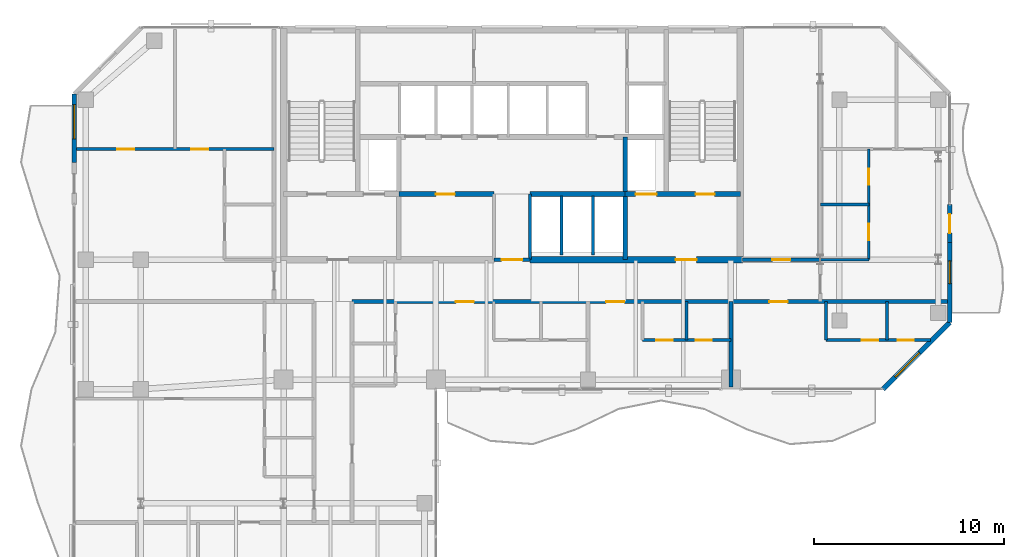
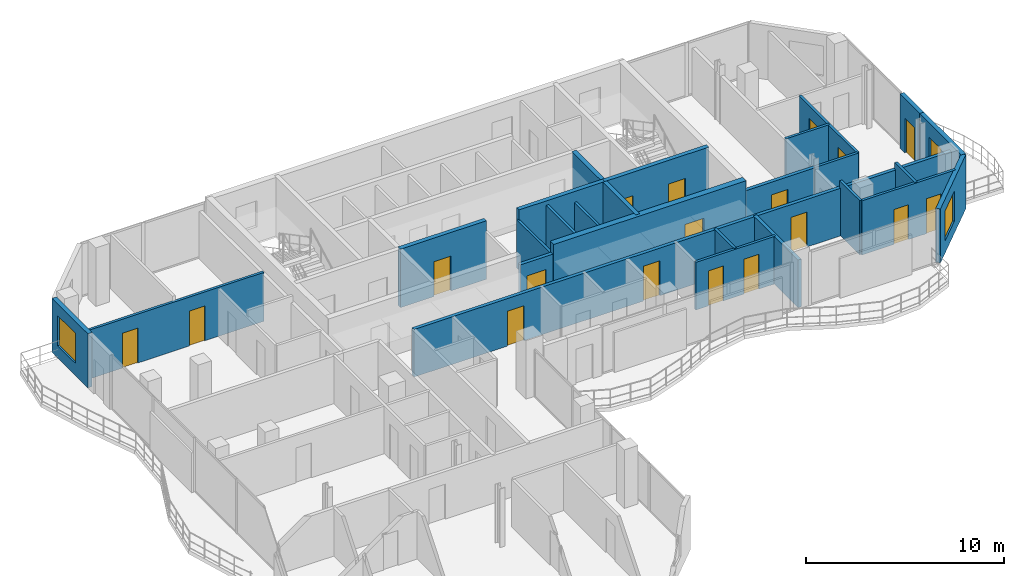
# One storey, part 19 of 24: 25 walls, 18 doors, 3 windows, 21 openings.
"""IFC4 building model written with IfcOpenShell, lengths in metres."""

from ifc_helpers import new_model, si_unit, direction, frame, frame_2d, origin, place, context, subcontext, project, spatial, rectangle, extrude, material, layer, layer_set, type_object, element, fill, save


model = new_model("IFC4")

# Units and contexts
model_context = context("Model", 3, precision=1e-05, world=origin(), true_north=direction((0.0, 1.0)))
body_context = subcontext(model_context, "Body", "Model", "MODEL_VIEW")
ifc_project = project(units=[si_unit("LENGTHUNIT", "METRE"), si_unit("AREAUNIT", "SQUARE_METRE"), si_unit("VOLUMEUNIT", "CUBIC_METRE"), si_unit("PLANEANGLEUNIT", "RADIAN"), si_unit("MASSUNIT", "GRAM", prefix="KILO")], contexts=[model_context])

# Site, building, storey
site_placement = place(None, origin())
site = spatial("IfcSite", under=ifc_project, at=site_placement, CompositionType="ELEMENT")
building_placement = place(site_placement, origin())
building = spatial("IfcBuilding", under=site, at=building_placement, Name="Catumbela Crestline Tower", CompositionType="ELEMENT")
storey_placement = place(building_placement, frame((0.0, 0.0, 154.2)))
storey = spatial("IfcBuildingStorey", under=building, at=storey_placement, Name="L39", CompositionType="ELEMENT", Elevation=154.2)

# Wall
ifc_material_1 = material(Name="Concrete C50/60", Category="concrete")
ifc_layer_1 = layer(ifc_material_1, 0.25, Name="Concrete C50/60")
ifc_layer_set_1 = layer_set([ifc_layer_1], Name="Concrete C50/60")
wall_type_1 = type_object("IfcWallType", Name="CW-250D", PredefinedType="SHEAR", material=ifc_layer_set_1)
wall_1_placement = place(storey_placement, frame((33.95, 30.8, 0.0), z_axis=(0.0, 0.0, 1.0), x_axis=(0.0, 1.0, 0.0)))
element("IfcWall", 1, at=wall_1_placement, inside=storey, type_object=wall_type_1, Name="L39 Structural Core Shear Wall FFE", PredefinedType="SHEAR", context=body_context, shape_type="SweptSolid", body=[
    extrude(rectangle(XDim=6.45, YDim=0.25, at=frame_2d((3.225, 0.0))), origin(), (0.0, 0.0, 1.0), 3.6),
])

# Wall, openings, doors
wall_2_placement = place(storey_placement, frame((33.95, 34.25, 0.0), z_axis=(0.0, 0.0, 1.0), x_axis=(1.0, 0.0, 0.0)))
wall_2 = element("IfcWall", 2, at=wall_2_placement, inside=storey, type_object=wall_type_1, Name="L39 Structural Core Shear Wall ST2S", PredefinedType="SHEAR", context=body_context, shape_type="SweptSolid", body=[
    extrude(rectangle(XDim=6.05, YDim=0.25, at=frame_2d((3.025, 0.0))), origin(), (0.0, 0.0, 1.0), 3.6),
])
opening_1_placement = place(wall_2_placement, frame((3.7, 0.0, 0.0)))
opening_1 = element("IfcOpeningElement", 3, at=opening_1_placement, cuts=wall_2, Name="Opening DF9-100", PredefinedType="OPENING", context=body_context, shape_type="SweptSolid", body=[
    extrude(rectangle(XDim=1.0, YDim=2.15, at=frame_2d((0.5, 1.075))), frame((0.0, 0.135, 0.0), z_axis=(0.0, -1.0, 0.0), x_axis=(1.0, 0.0, 0.0)), (0.0, 0.0, 1.0), 0.27),
])
opening_2_placement = place(wall_2_placement, frame((0.55, 0.0, 0.0)))
opening_2 = element("IfcOpeningElement", 4, at=opening_2_placement, cuts=wall_2, Name="Opening LD-110", PredefinedType="OPENING", context=body_context, shape_type="SweptSolid", body=[
    extrude(rectangle(XDim=1.1, YDim=2.15, at=frame_2d((0.55, 1.075))), frame((0.0, 0.135, 0.0), z_axis=(0.0, -1.0, 0.0), x_axis=(1.0, 0.0, 0.0)), (0.0, 0.0, 1.0), 0.27),
])
ifc_material_2 = material(Name="Stainless steel EN 1.4401", Category="steel")
door_type_1 = type_object("IfcDoorType", Name="DF9-100", OperationType="NOTDEFINED", PredefinedType="DOOR", material=ifc_material_2)
door_1_placement = place(opening_1_placement, origin())
door_1 = element("IfcDoor", 5, at=door_1_placement, inside=storey, type_object=door_type_1, Name="L39 Interior Door DR-L39-ST02", OperationType="SINGLE_SWING_RIGHT", OverallHeight=2.15, OverallWidth=1.0, PredefinedType="DOOR", context=body_context, shape_type="SweptSolid", body=[
    extrude(rectangle(XDim=1.0, YDim=2.15, at=frame_2d((0.5, 1.075))), frame((0.0, 0.025, 0.0), z_axis=(0.0, -1.0, 0.0), x_axis=(1.0, 0.0, 0.0)), (0.0, 0.0, 1.0), 0.05),
])
fill(opening_1, door_1)
door_type_2 = type_object("IfcDoorType", Name="LD-110", OperationType="NOTDEFINED", PredefinedType="DOOR", material=ifc_material_2)
door_2_placement = place(opening_2_placement, origin())
door_2 = element("IfcDoor", 6, at=door_2_placement, inside=storey, type_object=door_type_2, Name="L39 Lift Landing Sliding Door FL-02", OperationType="DOUBLE_DOOR_SLIDING", OverallHeight=2.15, OverallWidth=1.1, PredefinedType="DOOR", context=body_context, shape_type="SweptSolid", body=[
    extrude(rectangle(XDim=1.1, YDim=2.15, at=frame_2d((0.55, 1.075))), frame((0.0, 0.025, 0.0), z_axis=(0.0, -1.0, 0.0), x_axis=(1.0, 0.0, 0.0)), (0.0, 0.0, 1.0), 0.05),
])
fill(opening_2, door_2)

# Wall, opening, door
wall_3_placement = place(storey_placement, frame((22.05, 34.25, 0.0), z_axis=(0.0, 0.0, 1.0), x_axis=(1.0, 0.0, 0.0)))
wall_3 = element("IfcWall", 7, at=wall_3_placement, inside=storey, type_object=wall_type_1, Name="L39 Structural Core Shear Wall LIFTS-W", PredefinedType="SHEAR", context=body_context, shape_type="SweptSolid", body=[
    extrude(rectangle(XDim=5.0, YDim=0.25, at=frame_2d((2.5, 0.0))), origin(), (0.0, 0.0, 1.0), 3.6),
])
opening_3_placement = place(wall_3_placement, frame((1.95, 0.0, 0.0)))
opening_3 = element("IfcOpeningElement", 8, at=opening_3_placement, cuts=wall_3, Name="Opening DF9-100", PredefinedType="OPENING", context=body_context, shape_type="SweptSolid", body=[
    extrude(rectangle(XDim=1.0, YDim=2.15, at=frame_2d((0.5, 1.075))), frame((0.0, 0.135, 0.0), z_axis=(0.0, -1.0, 0.0), x_axis=(1.0, 0.0, 0.0)), (0.0, 0.0, 1.0), 0.27),
])
door_3_placement = place(opening_3_placement, origin())
door_3 = element("IfcDoor", 9, at=door_3_placement, inside=storey, type_object=door_type_1, Name="L39 Interior Door DR-L39-RECL1", OperationType="SINGLE_SWING_LEFT", OverallHeight=2.15, OverallWidth=1.0, PredefinedType="DOOR", context=body_context, shape_type="SweptSolid", body=[
    extrude(rectangle(XDim=1.0, YDim=2.15, at=frame_2d((0.5, 1.075))), frame((0.0, 0.025, 0.0), z_axis=(0.0, -1.0, 0.0), x_axis=(1.0, 0.0, 0.0)), (0.0, 0.0, 1.0), 0.05),
])
fill(opening_3, door_3)

# Wall
wall_4_placement = place(storey_placement, frame((28.95, 34.25, 0.0), z_axis=(0.0, 0.0, 1.0), x_axis=(1.0, 0.0, 0.0)))
element("IfcWall", 10, at=wall_4_placement, inside=storey, type_object=wall_type_1, Name="L39 Structural Core Shear Wall LIFTS-E", PredefinedType="SHEAR", context=body_context, shape_type="SweptSolid", body=[
    extrude(rectangle(XDim=5.0, YDim=0.25, at=frame_2d((2.5, 0.0))), origin(), (0.0, 0.0, 1.0), 3.6),
])

# Wall, opening, door
ifc_layer_2 = layer(ifc_material_1, 0.35, Name="Concrete C50/60")
ifc_layer_set_2 = layer_set([ifc_layer_2], Name="Concrete C50/60")
wall_type_2 = type_object("IfcWallType", Name="CW-350B", PredefinedType="SHEAR", material=ifc_layer_set_2)
wall_5_placement = place(storey_placement, frame((28.95, 30.8, 0.0), z_axis=(0.0, 0.0, 1.0), x_axis=(1.0, 0.0, 0.0)))
wall_5 = element("IfcWall", 11, at=wall_5_placement, inside=storey, type_object=wall_type_2, Name="L39 Structural Core Shear Wall SE", PredefinedType="SHEAR", context=body_context, shape_type="SweptSolid", body=[
    extrude(rectangle(XDim=11.2, YDim=0.35, at=frame_2d((5.6, 0.0))), origin(), (0.0, 0.0, 1.0), 3.6),
])
opening_4_placement = place(wall_5_placement, frame((7.65, 0.0, 0.0)))
opening_4 = element("IfcOpeningElement", 12, at=opening_4_placement, cuts=wall_5, Name="Opening DF9-110", PredefinedType="OPENING", context=body_context, shape_type="SweptSolid", body=[
    extrude(rectangle(XDim=1.1, YDim=2.15, at=frame_2d((0.55, 1.075))), frame((0.0, 0.185, 0.0), z_axis=(0.0, -1.0, 0.0), x_axis=(1.0, 0.0, 0.0)), (0.0, 0.0, 1.0), 0.37),
])
door_type_3 = type_object("IfcDoorType", Name="DF9-110", OperationType="NOTDEFINED", PredefinedType="DOOR", material=ifc_material_2)
door_4_placement = place(opening_4_placement, origin())
door_4 = element("IfcDoor", 13, at=door_4_placement, inside=storey, type_object=door_type_3, Name="L39 Interior Door DR-L39-FFE-S", OperationType="SINGLE_SWING_RIGHT", OverallHeight=2.15, OverallWidth=1.1, PredefinedType="DOOR", context=body_context, shape_type="SweptSolid", body=[
    extrude(rectangle(XDim=1.1, YDim=2.15, at=frame_2d((0.55, 1.075))), frame((0.0, 0.025, 0.0), z_axis=(0.0, -1.0, 0.0), x_axis=(1.0, 0.0, 0.0)), (0.0, 0.0, 1.0), 0.05),
])
fill(opening_4, door_4)

ifc_material_3 = material(Name="Acoustic gypsum and mineral-wool partition")
ifc_layer_3 = layer(ifc_material_3, 0.2, Name="Acoustic gypsum and mineral-wool partition")
ifc_layer_set_3 = layer_set([ifc_layer_3], Name="Acoustic gypsum and mineral-wool partition")
wall_type_3 = type_object("IfcWallType", Name="WC-200", PredefinedType="PARTITIONING", material=ifc_layer_set_3)
wall_6_placement = place(storey_placement, frame((27.05, 30.8, 0.0), z_axis=(0.0, 0.0, 1.0), x_axis=(1.0, 0.0, 0.0)))
wall_6 = element("IfcWall", 14, at=wall_6_placement, inside=storey, type_object=wall_type_3, Name="L39 Interior Partition PW-L39-CLOBS", PredefinedType="PARTITIONING", context=body_context, shape_type="SweptSolid", body=[
    extrude(rectangle(XDim=1.9, YDim=0.2, at=frame_2d((0.95, 0.0))), origin(), (0.0, 0.0, 1.0), 2.96),
])
opening_5_placement = place(wall_6_placement, frame((0.4, 0.0, 0.0)))
opening_5 = element("IfcOpeningElement", 15, at=opening_5_placement, cuts=wall_6, Name="Opening DF9-110", PredefinedType="OPENING", context=body_context, shape_type="SweptSolid", body=[
    extrude(rectangle(XDim=1.1, YDim=2.15, at=frame_2d((0.55, 1.075))), frame((0.0, 0.11, 0.0), z_axis=(0.0, -1.0, 0.0), x_axis=(1.0, 0.0, 0.0)), (0.0, 0.0, 1.0), 0.22),
])
door_5_placement = place(opening_5_placement, origin())
door_5 = element("IfcDoor", 16, at=door_5_placement, inside=storey, type_object=door_type_3, Name="L39 Interior Door DR-L39-CLOBS", OperationType="SINGLE_SWING_LEFT", OverallHeight=2.15, OverallWidth=1.1, PredefinedType="DOOR", context=body_context, shape_type="SweptSolid", body=[
    extrude(rectangle(XDim=1.1, YDim=2.15, at=frame_2d((0.55, 1.075))), frame((0.0, 0.025, 0.0), z_axis=(0.0, -1.0, 0.0), x_axis=(1.0, 0.0, 0.0)), (0.0, 0.0, 1.0), 0.05),
])
fill(opening_5, door_5)

# Wall, openings, doors
wall_7_placement = place(storey_placement, frame((19.6, 28.6, 0.0), z_axis=(0.0, 0.0, 1.0), x_axis=(1.0, 0.0, 0.0)))
wall_7 = element("IfcWall", 17, at=wall_7_placement, inside=storey, type_object=wall_type_3, Name="L39 Interior Partition PW-L39-RCWR", PredefinedType="PARTITIONING", context=body_context, shape_type="SweptSolid", body=[
    extrude(rectangle(XDim=31.3, YDim=0.2, at=frame_2d((15.65, 0.0))), origin(), (0.0, 0.0, 1.0), 2.93),
])
opening_6_placement = place(wall_7_placement, frame((5.445, 0.0, 0.0)))
opening_6 = element("IfcOpeningElement", 18, at=opening_6_placement, cuts=wall_7, Name="Opening DF6-095", PredefinedType="OPENING", context=body_context, shape_type="SweptSolid", body=[
    extrude(rectangle(XDim=0.95, YDim=2.15, at=frame_2d((0.475, 1.075))), frame((0.0, 0.11, 0.0), z_axis=(0.0, -1.0, 0.0), x_axis=(1.0, 0.0, 0.0)), (0.0, 0.0, 1.0), 0.22),
])
opening_7_placement = place(wall_7_placement, frame((13.35, 0.0, 0.0)))
opening_7 = element("IfcOpeningElement", 19, at=opening_7_placement, cuts=wall_7, Name="Opening DF6-095", PredefinedType="OPENING", context=body_context, shape_type="SweptSolid", body=[
    extrude(rectangle(XDim=0.95, YDim=2.15, at=frame_2d((0.475, 1.075))), frame((0.0, 0.11, 0.0), z_axis=(0.0, -1.0, 0.0), x_axis=(1.0, 0.0, 0.0)), (0.0, 0.0, 1.0), 0.22),
])
opening_8_placement = place(wall_7_placement, frame((21.925, 0.0, 0.0)))
opening_8 = element("IfcOpeningElement", 20, at=opening_8_placement, cuts=wall_7, Name="Opening DF6-095", PredefinedType="OPENING", context=body_context, shape_type="SweptSolid", body=[
    extrude(rectangle(XDim=0.95, YDim=2.15, at=frame_2d((0.475, 1.075))), frame((0.0, 0.11, 0.0), z_axis=(0.0, -1.0, 0.0), x_axis=(1.0, 0.0, 0.0)), (0.0, 0.0, 1.0), 0.22),
])
ifc_material_4 = material(Name="Aluminium alloy AW-6060-T66", Category="aluminium")
door_type_4 = type_object("IfcDoorType", Name="DF6-095", OperationType="NOTDEFINED", PredefinedType="DOOR", material=ifc_material_4)
door_6_placement = place(opening_6_placement, origin())
door_6 = element("IfcDoor", 21, at=door_6_placement, inside=storey, type_object=door_type_4, Name="L39 Interior Door DR-L39-S1-ENT", OperationType="SINGLE_SWING_LEFT", OverallHeight=2.15, OverallWidth=0.95, PredefinedType="DOOR", context=body_context, shape_type="SweptSolid", body=[
    extrude(rectangle(XDim=0.95, YDim=2.15, at=frame_2d((0.475, 1.075))), frame((0.0, 0.025, 0.0), z_axis=(0.0, -1.0, 0.0), x_axis=(1.0, 0.0, 0.0)), (0.0, 0.0, 1.0), 0.05),
])
fill(opening_6, door_6)
door_7_placement = place(opening_7_placement, origin())
door_7 = element("IfcDoor", 22, at=door_7_placement, inside=storey, type_object=door_type_4, Name="L39 Interior Door DR-L39-S2-ENT", OperationType="SINGLE_SWING_RIGHT", OverallHeight=2.15, OverallWidth=0.95, PredefinedType="DOOR", context=body_context, shape_type="SweptSolid", body=[
    extrude(rectangle(XDim=0.95, YDim=2.15, at=frame_2d((0.475, 1.075))), frame((0.0, 0.025, 0.0), z_axis=(0.0, -1.0, 0.0), x_axis=(1.0, 0.0, 0.0)), (0.0, 0.0, 1.0), 0.05),
])
fill(opening_7, door_7)
door_8_placement = place(opening_8_placement, origin())
door_8 = element("IfcDoor", 23, at=door_8_placement, inside=storey, type_object=door_type_4, Name="L39 Interior Door DR-L39-S3-ENT", OperationType="SINGLE_SWING_LEFT", OverallHeight=2.15, OverallWidth=0.95, PredefinedType="DOOR", context=body_context, shape_type="SweptSolid", body=[
    extrude(rectangle(XDim=0.95, YDim=2.15, at=frame_2d((0.475, 1.075))), frame((0.0, 0.025, 0.0), z_axis=(0.0, -1.0, 0.0), x_axis=(1.0, 0.0, 0.0)), (0.0, 0.0, 1.0), 0.05),
])
fill(opening_8, door_8)

# Wall, opening, door
wall_8_placement = place(storey_placement, frame((40.1, 30.8, 0.0), z_axis=(0.0, 0.0, 1.0), x_axis=(1.0, 0.0, 0.0)))
wall_8 = element("IfcWall", 24, at=wall_8_placement, inside=storey, type_object=wall_type_3, Name="L39 Interior Partition PW-L39-NERM-ENT", PredefinedType="PARTITIONING", context=body_context, shape_type="SweptSolid", body=[
    extrude(rectangle(XDim=4.1, YDim=0.2, at=frame_2d((2.05, 0.0))), origin(), (0.0, 0.0, 1.0), 2.93),
])
opening_9_placement = place(wall_8_placement, frame((1.575, 0.0, 0.0)))
opening_9 = element("IfcOpeningElement", 25, at=opening_9_placement, cuts=wall_8, Name="Opening DF6-095", PredefinedType="OPENING", context=body_context, shape_type="SweptSolid", body=[
    extrude(rectangle(XDim=0.95, YDim=2.15, at=frame_2d((0.475, 1.075))), frame((0.0, 0.11, 0.0), z_axis=(0.0, -1.0, 0.0), x_axis=(1.0, 0.0, 0.0)), (0.0, 0.0, 1.0), 0.22),
])
door_9_placement = place(opening_9_placement, origin())
door_9 = element("IfcDoor", 26, at=door_9_placement, inside=storey, type_object=door_type_4, Name="L39 Interior Door DR-L39-NERM-ENT", OperationType="SINGLE_SWING_LEFT", OverallHeight=2.15, OverallWidth=0.95, PredefinedType="DOOR", context=body_context, shape_type="SweptSolid", body=[
    extrude(rectangle(XDim=0.95, YDim=2.15, at=frame_2d((0.475, 1.075))), frame((0.0, 0.025, 0.0), z_axis=(0.0, -1.0, 0.0), x_axis=(1.0, 0.0, 0.0)), (0.0, 0.0, 1.0), 0.05),
])
fill(opening_9, door_9)

# Wall, opening, window
ifc_material_5 = material(Name="Angolan grey-ochre granite", Category="masonry")
ifc_layer_4 = layer(ifc_material_5, 0.25, Name="Angolan grey-ochre granite")
ifc_layer_set_4 = layer_set([ifc_layer_4], Name="Angolan grey-ochre granite")
wall_type_4 = type_object("IfcWallType", Name="WE-250", PredefinedType="STANDARD", material=ifc_layer_set_4)
wall_9_placement = place(storey_placement, frame((47.5, 24.0, 0.0), z_axis=(0.0, 0.0, 1.0), x_axis=(0.707106781187, 0.707106781187, 0.0)))
wall_9 = element("IfcWall", 27, at=wall_9_placement, inside=storey, type_object=wall_type_4, Name="L39 Granite Punched Window Wall 4-1", PredefinedType="STANDARD", context=body_context, shape_type="SweptSolid", body=[
    extrude(rectangle(XDim=4.9497, YDim=0.25, at=frame_2d((2.4748, 0.0))), origin(), (0.0, 0.0, 1.0), 3.33),
])
opening_10_placement = place(wall_9_placement, frame((0.8962, 0.0, 0.75)))
opening_10 = element("IfcOpeningElement", 28, at=opening_10_placement, cuts=wall_9, Name="Opening WN-01", PredefinedType="OPENING", context=body_context, shape_type="SweptSolid", body=[
    extrude(rectangle(XDim=1.8, YDim=1.85, at=frame_2d((0.9, 0.925))), frame((0.0, 0.135, 0.0), z_axis=(0.0, -1.0, 0.0), x_axis=(1.0, 0.0, 0.0)), (0.0, 0.0, 1.0), 0.27),
])
ifc_material_6 = material(Name="Low-E laminated solar-control double glazing", Category="glass")
window_type_1 = type_object("IfcWindowType", Name="WF-1800", PartitioningType="SINGLE_PANEL", PredefinedType="WINDOW", material=ifc_material_6)
window_1_placement = place(opening_10_placement, origin())
window_1 = element("IfcWindow", 29, at=window_1_placement, inside=storey, type_object=window_type_1, Name="L39 Facade Vision Window 219", OverallHeight=1.85, OverallWidth=1.8, PartitioningType="SINGLE_PANEL", PredefinedType="WINDOW", context=body_context, shape_type="SweptSolid", body=[
    extrude(rectangle(XDim=1.8, YDim=1.85, at=frame_2d((0.9, 0.925))), frame((0.0, 0.03, 0.0), z_axis=(0.0, -1.0, 0.0), x_axis=(1.0, 0.0, 0.0)), (0.0, 0.0, 1.0), 0.06),
])
fill(opening_10, window_1)

# Wall, opening, door
wall_10_placement = place(storey_placement, frame((51.0, 31.7, 0.0), z_axis=(0.0, 0.0, 1.0), x_axis=(0.0, 1.0, 0.0)))
wall_10 = element("IfcWall", 30, at=wall_10_placement, inside=storey, type_object=wall_type_4, Name="L39 Exterior Threshold Portal Wall DR-L39-WBAL-2", PredefinedType="STANDARD", context=body_context, shape_type="SweptSolid", body=[
    extrude(rectangle(XDim=2.0, YDim=0.25, at=frame_2d((1.0, 0.0))), origin(), (0.0, 0.0, 1.0), 3.33),
])
opening_11_placement = place(wall_10_placement, frame((0.5, 0.0, 0.0)))
opening_11 = element("IfcOpeningElement", 31, at=opening_11_placement, cuts=wall_10, Name="Opening DB-L39-2", PredefinedType="OPENING", context=body_context, shape_type="SweptSolid", body=[
    extrude(rectangle(XDim=1.0, YDim=2.15, at=frame_2d((0.5, 1.075))), frame((0.0, 0.135, 0.0), z_axis=(0.0, -1.0, 0.0), x_axis=(1.0, 0.0, 0.0)), (0.0, 0.0, 1.0), 0.27),
])
door_type_5 = type_object("IfcDoorType", Name="DB-1000", OperationType="NOTDEFINED", PredefinedType="DOOR", material=ifc_material_4)
door_10_placement = place(opening_11_placement, origin())
door_10 = element("IfcDoor", 32, at=door_10_placement, inside=storey, type_object=door_type_5, Name="L39 Wave Balcony Terrace Door 2", OperationType="SINGLE_SWING_RIGHT", OverallHeight=2.15, OverallWidth=1.0, PredefinedType="DOOR", context=body_context, shape_type="SweptSolid", body=[
    extrude(rectangle(XDim=1.0, YDim=2.15, at=frame_2d((0.5, 1.075))), frame((0.0, 0.025, 0.0), z_axis=(0.0, -1.0, 0.0), x_axis=(1.0, 0.0, 0.0)), (0.0, 0.0, 1.0), 0.05),
])
fill(opening_11, door_10)

# Wall, opening, window
wall_11_placement = place(storey_placement, frame((51.0, 27.5, 0.0), z_axis=(0.0, 0.0, 1.0), x_axis=(0.0, 1.0, 0.0)))
wall_11 = element("IfcWall", 33, at=wall_11_placement, inside=storey, type_object=wall_type_4, Name="L39 Granite Punched Window Wall 5-1", PredefinedType="STANDARD", context=body_context, shape_type="SweptSolid", body=[
    extrude(rectangle(XDim=4.2, YDim=0.25, at=frame_2d((2.1, 0.0))), origin(), (0.0, 0.0, 1.0), 3.33),
])
opening_12_placement = place(wall_11_placement, frame((2.04, 0.0, 0.85)))
opening_12 = element("IfcOpeningElement", 34, at=opening_12_placement, cuts=wall_11, Name="Opening WN-02", PredefinedType="OPENING", context=body_context, shape_type="SweptSolid", body=[
    extrude(rectangle(XDim=1.2, YDim=1.6, at=frame_2d((0.6, 0.8))), frame((0.0, 0.135, 0.0), z_axis=(0.0, -1.0, 0.0), x_axis=(1.0, 0.0, 0.0)), (0.0, 0.0, 1.0), 0.27),
])
window_type_2 = type_object("IfcWindowType", Name="WO-1200", PartitioningType="SINGLE_PANEL", PredefinedType="WINDOW", material=ifc_material_6)
window_2_placement = place(opening_12_placement, origin())
window_2 = element("IfcWindow", 35, at=window_2_placement, inside=storey, type_object=window_type_2, Name="L39 Facade Vision Window 220", OverallHeight=1.6, OverallWidth=1.2, PartitioningType="SINGLE_PANEL", PredefinedType="WINDOW", context=body_context, shape_type="SweptSolid", body=[
    extrude(rectangle(XDim=1.2, YDim=1.6, at=frame_2d((0.6, 0.8))), frame((0.0, 0.03, 0.0), z_axis=(0.0, -1.0, 0.0), x_axis=(1.0, 0.0, 0.0)), (0.0, 0.0, 1.0), 0.06),
])
fill(opening_12, window_2)

wall_12_placement = place(storey_placement, frame((5.0, 39.5, 0.0), z_axis=(0.0, 0.0, 1.0), x_axis=(0.0, -1.0, 0.0)))
wall_12 = element("IfcWall", 36, at=wall_12_placement, inside=storey, type_object=wall_type_4, Name="L39 Granite Punched Window Wall 9-1", PredefinedType="STANDARD", context=body_context, shape_type="SweptSolid", body=[
    extrude(rectangle(XDim=3.6, YDim=0.25, at=frame_2d((1.8, 0.0))), origin(), (0.0, 0.0, 1.0), 3.33),
])
opening_13_placement = place(wall_12_placement, frame((0.556, 0.0, 0.75)))
opening_13 = element("IfcOpeningElement", 37, at=opening_13_placement, cuts=wall_12, Name="Opening WN-01", PredefinedType="OPENING", context=body_context, shape_type="SweptSolid", body=[
    extrude(rectangle(XDim=1.8, YDim=1.85, at=frame_2d((0.9, 0.925))), frame((0.0, 0.135, 0.0), z_axis=(0.0, -1.0, 0.0), x_axis=(1.0, 0.0, 0.0)), (0.0, 0.0, 1.0), 0.27),
])
window_3_placement = place(opening_13_placement, origin())
window_3 = element("IfcWindow", 38, at=window_3_placement, inside=storey, type_object=window_type_1, Name="L39 Facade Vision Window 223", OverallHeight=1.85, OverallWidth=1.8, PartitioningType="SINGLE_PANEL", PredefinedType="WINDOW", context=body_context, shape_type="SweptSolid", body=[
    extrude(rectangle(XDim=1.8, YDim=1.85, at=frame_2d((0.9, 0.925))), frame((0.0, 0.03, 0.0), z_axis=(0.0, -1.0, 0.0), x_axis=(1.0, 0.0, 0.0)), (0.0, 0.0, 1.0), 0.06),
])
fill(opening_13, window_3)

# Wall, openings, doors
ifc_layer_5 = layer(ifc_material_3, 0.15, Name="Acoustic gypsum and mineral-wool partition")
ifc_layer_set_5 = layer_set([ifc_layer_5], Name="Acoustic gypsum and mineral-wool partition")
wall_type_5 = type_object("IfcWallType", Name="WP-150", PredefinedType="PARTITIONING", material=ifc_layer_set_5)
wall_13_placement = place(storey_placement, frame((5.1, 36.608, 0.0), z_axis=(0.0, 0.0, 1.0), x_axis=(1.0, 0.0, 0.0)))
wall_13 = element("IfcWall", 39, at=wall_13_placement, inside=storey, type_object=wall_type_5, Name="L39 Interior Partition PW-L39-NW1-KBN", PredefinedType="PARTITIONING", context=body_context, shape_type="SweptSolid", body=[
    extrude(rectangle(XDim=10.4, YDim=0.15, at=frame_2d((5.2, 0.0))), origin(), (0.0, 0.0, 1.0), 3.01),
])
opening_14_placement = place(wall_13_placement, frame((2.15, 0.0, 0.0)))
opening_14 = element("IfcOpeningElement", 40, at=opening_14_placement, cuts=wall_13, Name="Opening DI-090", PredefinedType="OPENING", context=body_context, shape_type="SweptSolid", body=[
    extrude(rectangle(XDim=0.9, YDim=2.15, at=frame_2d((0.45, 1.075))), frame((0.0, 0.085, 0.0), z_axis=(0.0, -1.0, 0.0), x_axis=(1.0, 0.0, 0.0)), (0.0, 0.0, 1.0), 0.17),
])
opening_15_placement = place(wall_13_placement, frame((6.05, 0.0, 0.0)))
opening_15 = element("IfcOpeningElement", 41, at=opening_15_placement, cuts=wall_13, Name="Opening DI-090", PredefinedType="OPENING", context=body_context, shape_type="SweptSolid", body=[
    extrude(rectangle(XDim=0.9, YDim=2.15, at=frame_2d((0.45, 1.075))), frame((0.0, 0.085, 0.0), z_axis=(0.0, -1.0, 0.0), x_axis=(1.0, 0.0, 0.0)), (0.0, 0.0, 1.0), 0.17),
])
door_type_6 = type_object("IfcDoorType", Name="DI-090", OperationType="NOTDEFINED", PredefinedType="DOOR", material=ifc_material_4)
door_11_placement = place(opening_14_placement, origin())
door_11 = element("IfcDoor", 42, at=door_11_placement, inside=storey, type_object=door_type_6, Name="L39 Interior Door DR-L39-NW1-BD1", OperationType="SINGLE_SWING_LEFT", OverallHeight=2.15, OverallWidth=0.9, PredefinedType="DOOR", context=body_context, shape_type="SweptSolid", body=[
    extrude(rectangle(XDim=0.9, YDim=2.15, at=frame_2d((0.45, 1.075))), frame((0.0, 0.025, 0.0), z_axis=(0.0, -1.0, 0.0), x_axis=(1.0, 0.0, 0.0)), (0.0, 0.0, 1.0), 0.05),
])
fill(opening_14, door_11)
door_12_placement = place(opening_15_placement, origin())
door_12 = element("IfcDoor", 43, at=door_12_placement, inside=storey, type_object=door_type_6, Name="L39 Interior Door DR-L39-NW1-BD2", OperationType="SINGLE_SWING_RIGHT", OverallHeight=2.15, OverallWidth=0.9, PredefinedType="DOOR", context=body_context, shape_type="SweptSolid", body=[
    extrude(rectangle(XDim=0.9, YDim=2.15, at=frame_2d((0.45, 1.075))), frame((0.0, 0.025, 0.0), z_axis=(0.0, -1.0, 0.0), x_axis=(1.0, 0.0, 0.0)), (0.0, 0.0, 1.0), 0.05),
])
fill(opening_15, door_12)

# Walls
for number, where, z_axis, x_axis, name in (
    (44, (44.2, 30.8, 0.0), (0.0, 0.0, 1.0), (1.0, 0.0, 0.0), "L39 Interior Partition PW-L39-NE1-KBS"),
    (45, (44.2, 33.704, 0.0), (0.0, 0.0, 1.0), (1.0, 0.0, 0.0), "L39 Interior Partition PW-L39-NE1-KBM"),
):
    element("IfcWall", number, at=place(storey_placement, frame(where, z_axis=z_axis, x_axis=x_axis)), inside=storey, type_object=wall_type_5, Name=name, PredefinedType="PARTITIONING", context=body_context, shape_type="SweptSolid", body=[
        extrude(rectangle(XDim=2.546, YDim=0.15, at=frame_2d((1.273, 0.0))), origin(), (0.0, 0.0, 1.0), 2.93),
    ])

# Wall, openings, doors
wall_14_placement = place(storey_placement, frame((46.746, 30.8, 0.0), z_axis=(0.0, 0.0, 1.0), x_axis=(0.0, 1.0, 0.0)))
wall_14 = element("IfcWall", 46, at=wall_14_placement, inside=storey, type_object=wall_type_5, Name="L39 Interior Partition PW-L39-NE1-LK", PredefinedType="PARTITIONING", context=body_context, shape_type="SweptSolid", body=[
    extrude(rectangle(XDim=5.808, YDim=0.15, at=frame_2d((2.904, 0.0))), origin(), (0.0, 0.0, 1.0), 2.93),
])
opening_16_placement = place(wall_14_placement, frame((1.027, 0.0, 0.0)))
opening_16 = element("IfcOpeningElement", 47, at=opening_16_placement, cuts=wall_14, Name="Opening DI-085", PredefinedType="OPENING", context=body_context, shape_type="SweptSolid", body=[
    extrude(rectangle(XDim=0.85, YDim=2.15, at=frame_2d((0.425, 1.075))), frame((0.0, 0.085, 0.0), z_axis=(0.0, -1.0, 0.0), x_axis=(1.0, 0.0, 0.0)), (0.0, 0.0, 1.0), 0.17),
])
opening_17_placement = place(wall_14_placement, frame((3.931, 0.0, 0.0)))
opening_17 = element("IfcOpeningElement", 48, at=opening_17_placement, cuts=wall_14, Name="Opening DI-085", PredefinedType="OPENING", context=body_context, shape_type="SweptSolid", body=[
    extrude(rectangle(XDim=0.85, YDim=2.15, at=frame_2d((0.425, 1.075))), frame((0.0, 0.085, 0.0), z_axis=(0.0, -1.0, 0.0), x_axis=(1.0, 0.0, 0.0)), (0.0, 0.0, 1.0), 0.17),
])
door_type_7 = type_object("IfcDoorType", Name="DI-085", OperationType="NOTDEFINED", PredefinedType="DOOR", material=ifc_material_4)
door_13_placement = place(opening_16_placement, origin())
door_13 = element("IfcDoor", 49, at=door_13_placement, inside=storey, type_object=door_type_7, Name="L39 Interior Door DR-L39-NE1-KIT", OperationType="SINGLE_SWING_LEFT", OverallHeight=2.15, OverallWidth=0.85, PredefinedType="DOOR", context=body_context, shape_type="SweptSolid", body=[
    extrude(rectangle(XDim=0.85, YDim=2.15, at=frame_2d((0.425, 1.075))), frame((0.0, 0.025, 0.0), z_axis=(0.0, -1.0, 0.0), x_axis=(1.0, 0.0, 0.0)), (0.0, 0.0, 1.0), 0.05),
])
fill(opening_16, door_13)
door_14_placement = place(opening_17_placement, origin())
door_14 = element("IfcDoor", 50, at=door_14_placement, inside=storey, type_object=door_type_7, Name="L39 Interior Door DR-L39-NE1-BTH", OperationType="SINGLE_SWING_RIGHT", OverallHeight=2.15, OverallWidth=0.85, PredefinedType="DOOR", context=body_context, shape_type="SweptSolid", body=[
    extrude(rectangle(XDim=0.85, YDim=2.15, at=frame_2d((0.425, 1.075))), frame((0.0, 0.025, 0.0), z_axis=(0.0, -1.0, 0.0), x_axis=(1.0, 0.0, 0.0)), (0.0, 0.0, 1.0), 0.05),
])
fill(opening_17, door_14)

# Wall
wall_15_placement = place(storey_placement, frame((37.175, 26.576, 0.0), z_axis=(0.0, 0.0, 1.0), x_axis=(0.0, 1.0, 0.0)))
element("IfcWall", 51, at=wall_15_placement, inside=storey, type_object=wall_type_5, Name="L39 Interior Partition PW-L39-S2-KBM", PredefinedType="PARTITIONING", context=body_context, shape_type="SweptSolid", body=[
    extrude(rectangle(XDim=2.024, YDim=0.15, at=frame_2d((1.012, 0.0))), origin(), (0.0, 0.0, 1.0), 2.96),
])

# Wall, openings, doors
wall_16_placement = place(storey_placement, frame((34.85, 26.576, 0.0), z_axis=(0.0, 0.0, 1.0), x_axis=(1.0, 0.0, 0.0)))
wall_16 = element("IfcWall", 52, at=wall_16_placement, inside=storey, type_object=wall_type_5, Name="L39 Interior Partition PW-L39-S2-KBD1", PredefinedType="PARTITIONING", context=body_context, shape_type="SweptSolid", body=[
    extrude(rectangle(XDim=4.65, YDim=0.15, at=frame_2d((2.325, 0.0))), origin(), (0.0, 0.0, 1.0), 2.93),
])
opening_18_placement = place(wall_16_placement, frame((0.7375, 0.0, 0.0)))
opening_18 = element("IfcOpeningElement", 53, at=opening_18_placement, cuts=wall_16, Name="Opening DI-085", PredefinedType="OPENING", context=body_context, shape_type="SweptSolid", body=[
    extrude(rectangle(XDim=0.85, YDim=2.15, at=frame_2d((0.425, 1.075))), frame((0.0, 0.085, 0.0), z_axis=(0.0, -1.0, 0.0), x_axis=(1.0, 0.0, 0.0)), (0.0, 0.0, 1.0), 0.17),
])
opening_19_placement = place(wall_16_placement, frame((2.8075, 0.0, 0.0)))
opening_19 = element("IfcOpeningElement", 54, at=opening_19_placement, cuts=wall_16, Name="Opening DI-085", PredefinedType="OPENING", context=body_context, shape_type="SweptSolid", body=[
    extrude(rectangle(XDim=0.85, YDim=2.15, at=frame_2d((0.425, 1.075))), frame((0.0, 0.085, 0.0), z_axis=(0.0, -1.0, 0.0), x_axis=(1.0, 0.0, 0.0)), (0.0, 0.0, 1.0), 0.17),
])
door_15_placement = place(opening_18_placement, origin())
door_15 = element("IfcDoor", 55, at=door_15_placement, inside=storey, type_object=door_type_7, Name="L39 Interior Door DR-L39-S2-BTH", OperationType="SINGLE_SWING_LEFT", OverallHeight=2.15, OverallWidth=0.85, PredefinedType="DOOR", context=body_context, shape_type="SweptSolid", body=[
    extrude(rectangle(XDim=0.85, YDim=2.15, at=frame_2d((0.425, 1.075))), frame((0.0, 0.025, 0.0), z_axis=(0.0, -1.0, 0.0), x_axis=(1.0, 0.0, 0.0)), (0.0, 0.0, 1.0), 0.05),
])
fill(opening_18, door_15)
door_16_placement = place(opening_19_placement, origin())
door_16 = element("IfcDoor", 56, at=door_16_placement, inside=storey, type_object=door_type_7, Name="L39 Interior Door DR-L39-S2-KIT", OperationType="SINGLE_SWING_RIGHT", OverallHeight=2.15, OverallWidth=0.85, PredefinedType="DOOR", context=body_context, shape_type="SweptSolid", body=[
    extrude(rectangle(XDim=0.85, YDim=2.15, at=frame_2d((0.425, 1.075))), frame((0.0, 0.025, 0.0), z_axis=(0.0, -1.0, 0.0), x_axis=(1.0, 0.0, 0.0)), (0.0, 0.0, 1.0), 0.05),
])
fill(opening_19, door_16)

# Walls
for number, where, z_axis, x_axis, name in (
    (57, (44.5, 26.576, 0.0), (0.0, 0.0, 1.0), (0.0, 1.0, 0.0), "L39 Interior Partition PW-L39-S3-KBW"),
    (58, (47.7, 26.576, 0.0), (0.0, 0.0, 1.0), (0.0, 1.0, 0.0), "L39 Interior Partition PW-L39-S3-KBM"),
):
    element("IfcWall", number, at=place(storey_placement, frame(where, z_axis=z_axis, x_axis=x_axis)), inside=storey, type_object=wall_type_5, Name=name, PredefinedType="PARTITIONING", context=body_context, shape_type="SweptSolid", body=[
        extrude(rectangle(XDim=2.024, YDim=0.15, at=frame_2d((1.012, 0.0))), origin(), (0.0, 0.0, 1.0), 3.33),
    ])

# Wall, openings, doors
wall_17_placement = place(storey_placement, frame((44.5, 26.576, 0.0), z_axis=(0.0, 0.0, 1.0), x_axis=(1.0, 0.0, 0.0)))
wall_17 = element("IfcWall", 59, at=wall_17_placement, inside=storey, type_object=wall_type_5, Name="L39 Interior Partition PW-L39-S3-KBD1", PredefinedType="PARTITIONING", context=body_context, shape_type="SweptSolid", body=[
    extrude(rectangle(XDim=5.476, YDim=0.15, at=frame_2d((2.738, 0.0))), origin(), (0.0, 0.0, 1.0), 3.33),
])
opening_20_placement = place(wall_17_placement, frame((1.8821, 0.0, 0.0)))
opening_20 = element("IfcOpeningElement", 60, at=opening_20_placement, cuts=wall_17, Name="Opening DI-085", PredefinedType="OPENING", context=body_context, shape_type="SweptSolid", body=[
    extrude(rectangle(XDim=0.85, YDim=2.15, at=frame_2d((0.425, 1.075))), frame((0.0, 0.085, 0.0), z_axis=(0.0, -1.0, 0.0), x_axis=(1.0, 0.0, 0.0)), (0.0, 0.0, 1.0), 0.17),
])
opening_21_placement = place(wall_17_placement, frame((3.7704, 0.0, 0.0)))
opening_21 = element("IfcOpeningElement", 61, at=opening_21_placement, cuts=wall_17, Name="Opening DI-085", PredefinedType="OPENING", context=body_context, shape_type="SweptSolid", body=[
    extrude(rectangle(XDim=0.85, YDim=2.15, at=frame_2d((0.425, 1.075))), frame((0.0, 0.085, 0.0), z_axis=(0.0, -1.0, 0.0), x_axis=(1.0, 0.0, 0.0)), (0.0, 0.0, 1.0), 0.17),
])
door_17_placement = place(opening_20_placement, origin())
door_17 = element("IfcDoor", 62, at=door_17_placement, inside=storey, type_object=door_type_7, Name="L39 Interior Door DR-L39-S3-BTH", OperationType="SINGLE_SWING_RIGHT", OverallHeight=2.15, OverallWidth=0.85, PredefinedType="DOOR", context=body_context, shape_type="SweptSolid", body=[
    extrude(rectangle(XDim=0.85, YDim=2.15, at=frame_2d((0.425, 1.075))), frame((0.0, 0.025, 0.0), z_axis=(0.0, -1.0, 0.0), x_axis=(1.0, 0.0, 0.0)), (0.0, 0.0, 1.0), 0.05),
])
fill(opening_20, door_17)
door_18_placement = place(opening_21_placement, origin())
door_18 = element("IfcDoor", 63, at=door_18_placement, inside=storey, type_object=door_type_7, Name="L39 Interior Door DR-L39-S3-KIT", OperationType="SINGLE_SWING_LEFT", OverallHeight=2.15, OverallWidth=0.85, PredefinedType="DOOR", context=body_context, shape_type="SweptSolid", body=[
    extrude(rectangle(XDim=0.85, YDim=2.15, at=frame_2d((0.425, 1.075))), frame((0.0, 0.025, 0.0), z_axis=(0.0, -1.0, 0.0), x_axis=(1.0, 0.0, 0.0)), (0.0, 0.0, 1.0), 0.05),
])
fill(opening_21, door_18)

# Walls
ifc_layer_6 = layer(ifc_material_3, 0.2, Name="Acoustic gypsum and mineral-wool partition")
ifc_layer_set_6 = layer_set([ifc_layer_6], Name="Acoustic gypsum and mineral-wool partition")
wall_type_6 = type_object("IfcWallType", Name="WY-200", PredefinedType="PARTITIONING", material=ifc_layer_set_6)
wall_18_placement = place(storey_placement, frame((39.5, 24.1, 0.0), z_axis=(0.0, 0.0, 1.0), x_axis=(0.0, 1.0, 0.0)))
element("IfcWall", 64, at=wall_18_placement, inside=storey, type_object=wall_type_6, Name="L39 Interior Partition PW-L39-RSPP-3", PredefinedType="PARTITIONING", context=body_context, shape_type="SweptSolid", body=[
    extrude(rectangle(XDim=4.5, YDim=0.2, at=frame_2d((2.25, 0.0))), origin(), (0.0, 0.0, 1.0), 2.93),
])
ifc_layer_7 = layer(ifc_material_3, 0.15, Name="Acoustic gypsum and mineral-wool partition")
ifc_layer_set_7 = layer_set([ifc_layer_7], Name="Acoustic gypsum and mineral-wool partition")
wall_type_7 = type_object("IfcWallType", Name="WS-150", PredefinedType="PLUMBINGWALL", material=ifc_layer_set_7)
wall_19_placement = place(storey_placement, frame((28.95, 30.8, 0.0), z_axis=(0.0, 0.0, 1.0), x_axis=(0.0, 1.0, 0.0)))
element("IfcWall", 65, at=wall_19_placement, inside=storey, type_object=wall_type_7, Name="L39 Interior Partition PW-L39-THRE", PredefinedType="PLUMBINGWALL", context=body_context, shape_type="SweptSolid", body=[
    extrude(rectangle(XDim=3.45, YDim=0.15, at=frame_2d((1.725, 0.0))), origin(), (0.0, 0.0, 1.0), 2.96),
])
wall_20_placement = place(storey_placement, frame((30.6, 31.05, 0.0), z_axis=(0.0, 0.0, 1.0), x_axis=(0.0, 1.0, 0.0)))
element("IfcWall", 66, at=wall_20_placement, inside=storey, type_object=wall_type_7, Name="L39 Interior Partition PW-L39-SHM1", PredefinedType="PLUMBINGWALL", context=body_context, shape_type="SweptSolid", body=[
    extrude(rectangle(XDim=3.1, YDim=0.15, at=frame_2d((1.55, 0.0))), origin(), (0.0, 0.0, 1.0), 3.33),
])
wall_21_placement = place(storey_placement, frame((32.25, 31.05, 0.0), z_axis=(0.0, 0.0, 1.0), x_axis=(0.0, 1.0, 0.0)))
element("IfcWall", 67, at=wall_21_placement, inside=storey, type_object=wall_type_7, Name="L39 Interior Partition PW-L39-SHM2", PredefinedType="PLUMBINGWALL", context=body_context, shape_type="SweptSolid", body=[
    extrude(rectangle(XDim=3.1, YDim=0.15, at=frame_2d((1.55, 0.0))), origin(), (0.0, 0.0, 1.0), 2.93),
])

save(model, "model.ifc")
